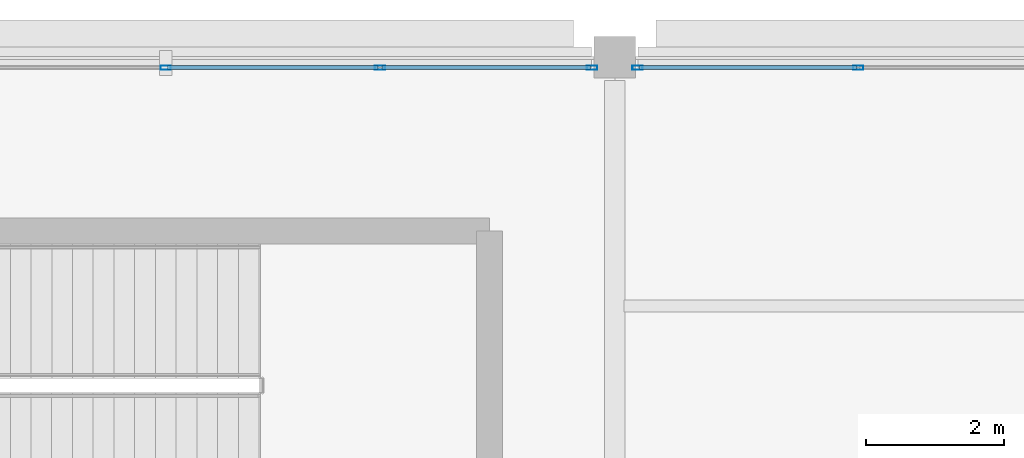
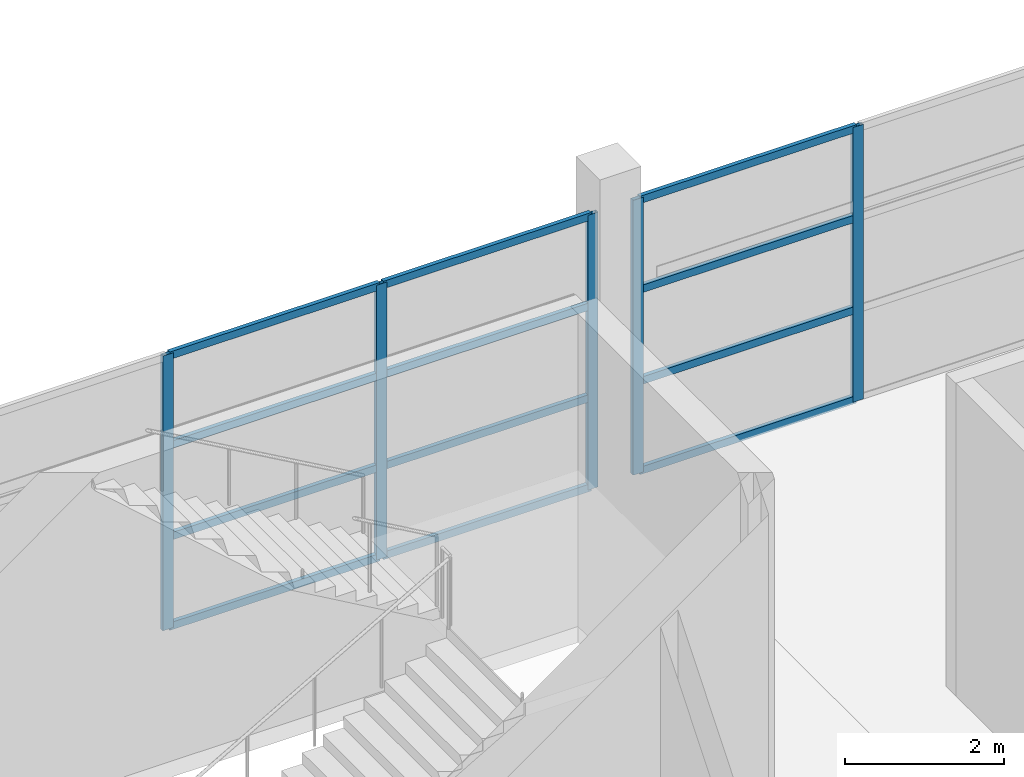
# One storey, part 104 of 134: 17 members, 2 elements without a shape of their own.
"""IFC4 building model written with IfcOpenShell, lengths in metres."""

import ifcopenshell
import ifcopenshell.guid

model = None  # the IFC model being written
_history = None  # IfcOwnerHistory: only IFC2X3 demands one
_inside = {}  # id of a spatial element -> (the spatial element, [elements in it])
_under = {}  # id of a project, library or spatial element -> (it, [spatial elements below it])
_declared = {}  # id of a project -> (the project, [libraries it declares])
_typed = {}  # id of a type object -> (the type object, [elements of that type])
_made_of = {}  # id of a material, layer set ... -> (it, [elements and type objects made of it])


def new_model(schema):
    """Start an empty IFC model of exactly this schema.

    Asked for "IFC4X3", IfcOpenShell would pick the latest addendum, in which some entities
    have other attributes; the version numbers below select the first issue.
    IFC2X3 requires an IfcOwnerHistory on every rooted entity: one is made here for all.
    """
    global model, _history
    if schema == "IFC4X3":
        model = ifcopenshell.file(schema_version=(4, 3, 0, 0))
    else:
        model = ifcopenshell.file(schema=schema)
    _inside.clear()
    _under.clear()
    _declared.clear()
    _typed.clear()
    _made_of.clear()
    _history = None
    if model.schema == "IFC2X3":
        org = make("IfcOrganization", Name="unknown")
        user = make(
            "IfcPersonAndOrganization",
            ThePerson=make("IfcPerson", FamilyName="unknown"),
            TheOrganization=org,
        )
        app = make(
            "IfcApplication",
            ApplicationDeveloper=org,
            Version="unknown",
            ApplicationFullName="unknown",
            ApplicationIdentifier="unknown",
        )
        _history = make(
            "IfcOwnerHistory",
            OwningUser=user,
            OwningApplication=app,
            ChangeAction="ADDED",
            CreationDate=0,
        )
    return model


def make(cls, **values):
    """One entity of the class cls with the attributes given. An attribute that is None is left unset."""
    return model.create_entity(
        cls, **{name: value for name, value in values.items() if value is not None}
    )


def rooted(cls, **values):
    """An entity with a GlobalId (a new one), such as an element, a storey or a relation."""
    return make(cls, GlobalId=ifcopenshell.guid.new(), OwnerHistory=_history, **values)


def si_unit(unit_type, name, prefix=None):
    """IfcSIUnit, for example si_unit("LENGTHUNIT", "METRE", prefix="MILLI")."""
    return make("IfcSIUnit", UnitType=unit_type, Prefix=prefix, Name=name)


def assignment(units):
    """IfcUnitAssignment: the units of a project."""
    return None if units is None else make("IfcUnitAssignment", Units=units)


def point(xyz):
    """IfcCartesianPoint."""
    return None if xyz is None else make("IfcCartesianPoint", Coordinates=xyz)


def direction(xyz):
    """IfcDirection."""
    return None if xyz is None else make("IfcDirection", DirectionRatios=xyz)


def frame(location, z_axis=None, x_axis=None):
    """IfcAxis2Placement3D, a coordinate frame: its origin and axes. An axis left out is left unset."""
    return make(
        "IfcAxis2Placement3D",
        Location=point(location),
        Axis=direction(z_axis),
        RefDirection=direction(x_axis),
    )


def frame_2d(location, x_axis=None):
    """IfcAxis2Placement2D, a coordinate frame in the plane: its origin and x axis."""
    return make(
        "IfcAxis2Placement2D", Location=point(location), RefDirection=direction(x_axis)
    )


def origin():
    """The frame at (0, 0, 0) with its axes left unset."""
    return frame((0.0, 0.0, 0.0))


def origin_2d():
    """The frame at (0, 0) in the plane with its x axis left unset."""
    return frame_2d((0.0, 0.0))


def place(relative_to, where):
    """IfcLocalPlacement: puts the frame where relative to a parent placement (None: the world)."""
    return make(
        "IfcLocalPlacement", PlacementRelTo=relative_to, RelativePlacement=where
    )


def context(
    kind, dimensions, precision=None, world=None, true_north=None, identifier=None
):
    """IfcGeometricRepresentationContext, for example the 3D "Model" context."""
    return make(
        "IfcGeometricRepresentationContext",
        ContextIdentifier=identifier,
        ContextType=kind,
        CoordinateSpaceDimension=dimensions,
        Precision=precision,
        WorldCoordinateSystem=world,
        TrueNorth=true_north,
    )


def subcontext(parent, identifier, kind, view, scale=None):
    """IfcGeometricRepresentationSubContext, for example "Body" below "Model"."""
    return make(
        "IfcGeometricRepresentationSubContext",
        ContextIdentifier=identifier,
        ContextType=kind,
        ParentContext=parent,
        TargetScale=scale,
        TargetView=view,
    )


def project(units=None, contexts=None):
    """IfcProject with its units and contexts."""
    return rooted(
        "IfcProject",
        Name="project",
        RepresentationContexts=contexts,
        UnitsInContext=assignment(units),
    )


def spatial(cls, under=None, at=None, **own):
    """A site, building, storey or space (cls), placed at a placement, below another one or the project."""
    s = rooted(cls, ObjectPlacement=at, **own)
    if under is not None:
        _under.setdefault(under.id(), (under, []))[1].append(s)
    return s


def profile(cls, at=None, kind="AREA", **sizes):
    """A parametric profile (cls). Its sizes go by their IFC names, for example OverallWidth=200.0."""
    return make(cls, ProfileType=kind, Position=at, **sizes)


def hollow_rectangle(**sizes):
    """IfcRectangleHollowProfileDef."""
    return profile("IfcRectangleHollowProfileDef", **sizes)


def extrude(swept, where, along, depth):
    """IfcExtrudedAreaSolid: the profile swept, set in the frame where, extruded along a direction by depth."""
    return make(
        "IfcExtrudedAreaSolid",
        SweptArea=swept,
        Position=where,
        ExtrudedDirection=direction(along),
        Depth=depth,
    )


def shape(context_of_items, identifier, shape_type, items):
    """IfcShapeRepresentation: the items that make up one representation, for example the "Body"."""
    return make(
        "IfcShapeRepresentation",
        ContextOfItems=context_of_items,
        RepresentationIdentifier=identifier,
        RepresentationType=shape_type,
        Items=items,
    )


def material(Name=None, Category=None):
    """IfcMaterial."""
    return make("IfcMaterial", Name=Name, Category=Category)


def layer(
    of_material, thickness, ventilated=None, Name=None, Category=None, Priority=None
):
    """IfcMaterialLayer: one layer of a wall or slab, of a material (None: an air gap)."""
    return make(
        "IfcMaterialLayer",
        Material=of_material,
        LayerThickness=thickness,
        IsVentilated=ventilated,
        Name=Name,
        Category=Category,
        Priority=Priority,
    )


def layer_set(layers, Name=None):
    """IfcMaterialLayerSet."""
    return make("IfcMaterialLayerSet", MaterialLayers=layers, LayerSetName=Name)


def material_profile(
    of_material, cross_section, Name=None, Category=None, Priority=None
):
    """IfcMaterialProfile: a cross section and its material."""
    return make(
        "IfcMaterialProfile",
        Name=Name,
        Material=of_material,
        Profile=cross_section,
        Priority=Priority,
        Category=Category,
    )


def profile_set(profiles, Name=None, composite=None):
    """IfcMaterialProfileSet."""
    return make(
        "IfcMaterialProfileSet",
        Name=Name,
        MaterialProfiles=profiles,
        CompositeProfile=composite,
    )


def made_of(thing, what):
    """Note that an element or type object is made of a material, layer set ...; save() writes the relation."""
    if what is not None:
        _made_of.setdefault(what.id(), (what, []))[1].append(thing)
    return thing


def type_object(cls, material=None, **own):
    """A type object (cls), such as IfcWallType, which elements share."""
    return made_of(rooted(cls, **own), material)


def element(
    cls,
    number,
    at=None,
    inside=None,
    cuts=None,
    type_object=None,
    material=None,
    context=None,
    identifier="Body",
    shape_type=None,
    held_by="IfcProductDefinitionShape",
    body=None,
    shapes=None,
    **own,
):
    """One element of the class cls, such as IfcWall. Its Tag is "e" and its number.

    at: its placement. inside: the storey or other place that contains it. cuts: it is an
    opening in that element (IfcRelVoidsElement). A single representation is given by context,
    identifier, shape_type and body (its items); several are given by shapes. held_by: the class
    of the entity that holds the representations. save() writes the other relations.
    """
    e = rooted(cls, Tag="e%d" % number, ObjectPlacement=at, **own)
    if body is not None:
        shapes = [shape(context, identifier, shape_type, body)]
    if shapes is not None:
        e.Representation = make(held_by, Representations=shapes)
    if inside is not None:
        _inside.setdefault(inside.id(), (inside, []))[1].append(e)
    if cuts is not None:
        rooted(
            "IfcRelVoidsElement", RelatingBuildingElement=cuts, RelatedOpeningElement=e
        )
    if type_object is not None:
        _typed.setdefault(type_object.id(), (type_object, []))[1].append(e)
    return made_of(e, material)


def aggregate(whole, parts):
    """IfcRelAggregates: a whole, such as a stair, and the parts it consists of."""
    return rooted("IfcRelAggregates", RelatingObject=whole, RelatedObjects=parts)


def save(model, path):
    """Write the relations noted so far, then the file.

    IfcRelAggregates (storeys below a building ...), IfcRelContainedInSpatialStructure (elements
    in a storey), IfcRelDefinesByType, IfcRelAssociatesMaterial and IfcRelDeclares: one each for
    every whole, place, type object, material and project.
    """
    for whole, parts in _under.values():
        aggregate(whole, parts)
    for where, things in _inside.values():
        rooted(
            "IfcRelContainedInSpatialStructure",
            RelatedElements=things,
            RelatingStructure=where,
        )
    for kind, things in _typed.values():
        rooted("IfcRelDefinesByType", RelatedObjects=things, RelatingType=kind)
    for what, things in _made_of.values():
        rooted("IfcRelAssociatesMaterial", RelatedObjects=things, RelatingMaterial=what)
    for by, libraries in _declared.values():
        rooted("IfcRelDeclares", RelatingContext=by, RelatedDefinitions=libraries)
    model.write(path)


model = new_model("IFC4")

# Units and contexts
model_context = context("Model", 3, precision=1e-05, world=origin(), true_north=direction((0.0, 1.0)))
body_context = subcontext(model_context, "Body", "Model", "MODEL_VIEW")
ifc_project = project(units=[si_unit("LENGTHUNIT", "METRE"), si_unit("AREAUNIT", "SQUARE_METRE"), si_unit("VOLUMEUNIT", "CUBIC_METRE"), si_unit("PLANEANGLEUNIT", "RADIAN"), si_unit("MASSUNIT", "GRAM", prefix="KILO")], contexts=[model_context])

# Site, building, storey
site_placement = place(None, origin())
site = spatial("IfcSite", under=ifc_project, at=site_placement, CompositionType="ELEMENT")
building_placement = place(site_placement, origin())
building = spatial("IfcBuilding", under=site, at=building_placement, Name="Tamarisk Ironworks Central Station", CompositionType="ELEMENT")
storey_placement = place(building_placement, frame((0.0, 0.0, 12.60009765625)))
storey = spatial("IfcBuildingStorey", under=building, at=storey_placement, Name="L02", CompositionType="ELEMENT", Elevation=12.60009765625)

# Curtain wall, members
ifc_material = material(Name="Anodized aluminium alloy 6063-T6", Category="aluminium")
ifc_layer = layer(ifc_material, 0.179931640625)
ifc_layer_set = layer_set([ifc_layer], Name="Anodized aluminium alloy 6063-T6")
curtain_wall_type = type_object("IfcCurtainWallType", Name="CW-17", PredefinedType="USERDEFINED", material=ifc_layer_set)
curtain_wall_1_placement = place(storey_placement, origin())
curtain_wall_1 = element("IfcCurtainWall", 1, at=curtain_wall_1_placement, inside=storey, type_object=curtain_wall_type, Name="Operations L02 north facade curtain wall 140", ObjectType="GLAZED CURTAIN WALL", PredefinedType="USERDEFINED")
ifc_material_profile_1 = material_profile(ifc_material, hollow_rectangle(XDim=0.06005859375, YDim=0.14990234375, WallThickness=0.00341796875, at=origin_2d()), Name="ALUM 150x60")
ifc_profile_set_1 = profile_set([ifc_material_profile_1], Name="Anodized aluminium alloy 6063-T6")
member_type_1 = type_object("IfcMemberType", Name="CWM-03", PredefinedType="MULLION", material=ifc_profile_set_1)
member_1_placement = place(storey_placement, frame((146.5, 122.25, 0.0), z_axis=(0.0, 0.0, 1.0), x_axis=(0.0, 1.0, 0.0)))
member_1 = element("IfcMember", 2, at=member_1_placement, type_object=member_type_1, Name="CW17 mullion 3", PredefinedType="MULLION", context=body_context, shape_type="SweptSolid", body=[
    extrude(hollow_rectangle(XDim=0.06005859375, YDim=0.14990234375, WallThickness=0.00341796875, at=origin_2d()), origin(), (0.0, 0.0, 1.0), 4.219970703125),
])
member_2_placement = place(storey_placement, frame((149.60107421875, 122.25, 0.0), z_axis=(0.0, 0.0, 1.0), x_axis=(0.0, 1.0, 0.0)))
member_2 = element("IfcMember", 3, at=member_2_placement, type_object=member_type_1, Name="CW17 mullion 4", PredefinedType="MULLION", context=body_context, shape_type="SweptSolid", body=[
    extrude(hollow_rectangle(XDim=0.06005859375, YDim=0.14990234375, WallThickness=0.00341796875, at=origin_2d()), origin(), (0.0, 0.0, 1.0), 4.219970703125),
])
member_3_placement = place(storey_placement, frame((152.672119140625, 122.25, 0.0), z_axis=(0.0, 0.0, 1.0), x_axis=(0.0, 1.0, 0.0)))
member_3 = element("IfcMember", 4, at=member_3_placement, type_object=member_type_1, Name="CW17 mullion 5", PredefinedType="MULLION", context=body_context, shape_type="SweptSolid", body=[
    extrude(hollow_rectangle(XDim=0.06005859375, YDim=0.14990234375, WallThickness=0.00341796875, at=origin_2d()), origin(), (0.0, 0.0, 1.0), 4.219970703125),
])

curtain_wall_2_placement = place(storey_placement, origin())
curtain_wall_2 = element("IfcCurtainWall", 5, at=curtain_wall_2_placement, inside=storey, type_object=curtain_wall_type, Name="Operations L02 north facade curtain wall 153", ObjectType="GLAZED CURTAIN WALL", PredefinedType="USERDEFINED")
member_4_placement = place(storey_placement, frame((153.327880859375, 122.25, 0.0), z_axis=(0.0, 0.0, 1.0), x_axis=(0.0, 1.0, 0.0)))
member_4 = element("IfcMember", 6, at=member_4_placement, type_object=member_type_1, Name="CW17 mullion 1", PredefinedType="MULLION", context=body_context, shape_type="SweptSolid", body=[
    extrude(hollow_rectangle(XDim=0.06005859375, YDim=0.14990234375, WallThickness=0.00341796875, at=origin_2d()), origin(), (0.0, 0.0, 1.0), 4.219970703125),
])
member_5_placement = place(storey_placement, frame((156.52392578125, 122.25, 0.0), z_axis=(0.0, 0.0, 1.0), x_axis=(0.0, 1.0, 0.0)))
member_5 = element("IfcMember", 7, at=member_5_placement, type_object=member_type_1, Name="CW17 mullion 2", PredefinedType="MULLION", context=body_context, shape_type="SweptSolid", body=[
    extrude(hollow_rectangle(XDim=0.06005859375, YDim=0.14990234375, WallThickness=0.00341796875, at=origin_2d()), origin(), (0.0, 0.0, 1.0), 4.219970703125),
])

# Member
ifc_material_profile_2 = material_profile(ifc_material, hollow_rectangle(XDim=0.06005859375, YDim=0.114990234375, WallThickness=0.00341796875, at=origin_2d()), Name="ALUM 115x60")
ifc_profile_set_2 = profile_set([ifc_material_profile_2], Name="Anodized aluminium alloy 6063-T6")
member_type_2 = type_object("IfcMemberType", Name="CWT-03", PredefinedType="USERDEFINED", material=ifc_profile_set_2)
member_6_placement = place(storey_placement, frame((146.52587890625, 122.25, 0.02978515625), z_axis=(1.0, 0.0, 0.0), x_axis=(0.0, 1.0, 0.0)))
member_6 = element("IfcMember", 8, at=member_6_placement, type_object=member_type_2, Name="CW17 transom 3.1", ObjectType="TRANSOM", PredefinedType="USERDEFINED", context=body_context, shape_type="SweptSolid", body=[
    extrude(hollow_rectangle(XDim=0.06005859375, YDim=0.114990234375, WallThickness=0.00341796875, at=origin_2d()), origin(), (0.0, 0.0, 1.0), 3.049072265625),
])

member_7_placement = place(storey_placement, frame((146.52587890625, 122.25, 1.406494140625), z_axis=(1.0, 0.0, 0.0), x_axis=(0.0, 1.0, 0.0)))
member_7 = element("IfcMember", 9, at=member_7_placement, type_object=member_type_2, Name="CW17 transom 3.2", ObjectType="TRANSOM", PredefinedType="USERDEFINED", context=body_context, shape_type="SweptSolid", body=[
    extrude(hollow_rectangle(XDim=0.06005859375, YDim=0.114990234375, WallThickness=0.00341796875, at=origin_2d()), origin(), (0.0, 0.0, 1.0), 3.049072265625),
])

member_8_placement = place(storey_placement, frame((146.52587890625, 122.25, 2.813232421875), z_axis=(1.0, 0.0, 0.0), x_axis=(0.0, 1.0, 0.0)))
member_8 = element("IfcMember", 10, at=member_8_placement, type_object=member_type_2, Name="CW17 transom 3.3", ObjectType="TRANSOM", PredefinedType="USERDEFINED", context=body_context, shape_type="SweptSolid", body=[
    extrude(hollow_rectangle(XDim=0.06005859375, YDim=0.114990234375, WallThickness=0.00341796875, at=origin_2d()), origin(), (0.0, 0.0, 1.0), 3.049072265625),
])

member_9_placement = place(storey_placement, frame((146.52587890625, 122.25, 4.18994140625), z_axis=(1.0, 0.0, 0.0), x_axis=(0.0, 1.0, 0.0)))
member_9 = element("IfcMember", 11, at=member_9_placement, type_object=member_type_2, Name="CW17 transom 3.4", ObjectType="TRANSOM", PredefinedType="USERDEFINED", context=body_context, shape_type="SweptSolid", body=[
    extrude(hollow_rectangle(XDim=0.06005859375, YDim=0.114990234375, WallThickness=0.00341796875, at=origin_2d()), origin(), (0.0, 0.0, 1.0), 3.049072265625),
])

member_10_placement = place(storey_placement, frame((149.626953125, 122.25, 0.02978515625), z_axis=(1.0, 0.0, 0.0), x_axis=(0.0, 1.0, 0.0)))
member_10 = element("IfcMember", 12, at=member_10_placement, type_object=member_type_2, Name="CW17 transom 4.1", ObjectType="TRANSOM", PredefinedType="USERDEFINED", context=body_context, shape_type="SweptSolid", body=[
    extrude(hollow_rectangle(XDim=0.06005859375, YDim=0.114990234375, WallThickness=0.00341796875, at=origin_2d()), origin(), (0.0, 0.0, 1.0), 3.01904296875),
])

member_11_placement = place(storey_placement, frame((149.626953125, 122.25, 1.406494140625), z_axis=(1.0, 0.0, 0.0), x_axis=(0.0, 1.0, 0.0)))
member_11 = element("IfcMember", 13, at=member_11_placement, type_object=member_type_2, Name="CW17 transom 4.2", ObjectType="TRANSOM", PredefinedType="USERDEFINED", context=body_context, shape_type="SweptSolid", body=[
    extrude(hollow_rectangle(XDim=0.06005859375, YDim=0.114990234375, WallThickness=0.00341796875, at=origin_2d()), origin(), (0.0, 0.0, 1.0), 3.01904296875),
])

member_12_placement = place(storey_placement, frame((149.626953125, 122.25, 2.813232421875), z_axis=(1.0, 0.0, 0.0), x_axis=(0.0, 1.0, 0.0)))
member_12 = element("IfcMember", 14, at=member_12_placement, type_object=member_type_2, Name="CW17 transom 4.3", ObjectType="TRANSOM", PredefinedType="USERDEFINED", context=body_context, shape_type="SweptSolid", body=[
    extrude(hollow_rectangle(XDim=0.06005859375, YDim=0.114990234375, WallThickness=0.00341796875, at=origin_2d()), origin(), (0.0, 0.0, 1.0), 3.01904296875),
])

member_13_placement = place(storey_placement, frame((149.626953125, 122.25, 4.18994140625), z_axis=(1.0, 0.0, 0.0), x_axis=(0.0, 1.0, 0.0)))
member_13 = element("IfcMember", 15, at=member_13_placement, type_object=member_type_2, Name="CW17 transom 4.4", ObjectType="TRANSOM", PredefinedType="USERDEFINED", context=body_context, shape_type="SweptSolid", body=[
    extrude(hollow_rectangle(XDim=0.06005859375, YDim=0.114990234375, WallThickness=0.00341796875, at=origin_2d()), origin(), (0.0, 0.0, 1.0), 3.01904296875),
])

aggregate(curtain_wall_1, [member_1, member_2, member_3, member_6, member_7, member_8, member_9, member_10, member_11, member_12, member_13])

member_14_placement = place(storey_placement, frame((153.35400390625, 122.25, 0.02978515625), z_axis=(1.0, 0.0, 0.0), x_axis=(0.0, 1.0, 0.0)))
member_14 = element("IfcMember", 16, at=member_14_placement, type_object=member_type_2, Name="CW17 transom 1.1", ObjectType="TRANSOM", PredefinedType="USERDEFINED", context=body_context, shape_type="SweptSolid", body=[
    extrude(hollow_rectangle(XDim=0.06005859375, YDim=0.114990234375, WallThickness=0.00341796875, at=origin_2d()), origin(), (0.0, 0.0, 1.0), 3.14404296875),
])

member_15_placement = place(storey_placement, frame((153.35400390625, 122.25, 1.406494140625), z_axis=(1.0, 0.0, 0.0), x_axis=(0.0, 1.0, 0.0)))
member_15 = element("IfcMember", 17, at=member_15_placement, type_object=member_type_2, Name="CW17 transom 1.2", ObjectType="TRANSOM", PredefinedType="USERDEFINED", context=body_context, shape_type="SweptSolid", body=[
    extrude(hollow_rectangle(XDim=0.06005859375, YDim=0.114990234375, WallThickness=0.00341796875, at=origin_2d()), origin(), (0.0, 0.0, 1.0), 3.14404296875),
])

member_16_placement = place(storey_placement, frame((153.35400390625, 122.25, 2.813232421875), z_axis=(1.0, 0.0, 0.0), x_axis=(0.0, 1.0, 0.0)))
member_16 = element("IfcMember", 18, at=member_16_placement, type_object=member_type_2, Name="CW17 transom 1.3", ObjectType="TRANSOM", PredefinedType="USERDEFINED", context=body_context, shape_type="SweptSolid", body=[
    extrude(hollow_rectangle(XDim=0.06005859375, YDim=0.114990234375, WallThickness=0.00341796875, at=origin_2d()), origin(), (0.0, 0.0, 1.0), 3.14404296875),
])

member_17_placement = place(storey_placement, frame((153.35400390625, 122.25, 4.18994140625), z_axis=(1.0, 0.0, 0.0), x_axis=(0.0, 1.0, 0.0)))
member_17 = element("IfcMember", 19, at=member_17_placement, type_object=member_type_2, Name="CW17 transom 1.4", ObjectType="TRANSOM", PredefinedType="USERDEFINED", context=body_context, shape_type="SweptSolid", body=[
    extrude(hollow_rectangle(XDim=0.06005859375, YDim=0.114990234375, WallThickness=0.00341796875, at=origin_2d()), origin(), (0.0, 0.0, 1.0), 3.14404296875),
])

aggregate(curtain_wall_2, [member_4, member_5, member_14, member_15, member_16, member_17])

save(model, "model.ifc")
